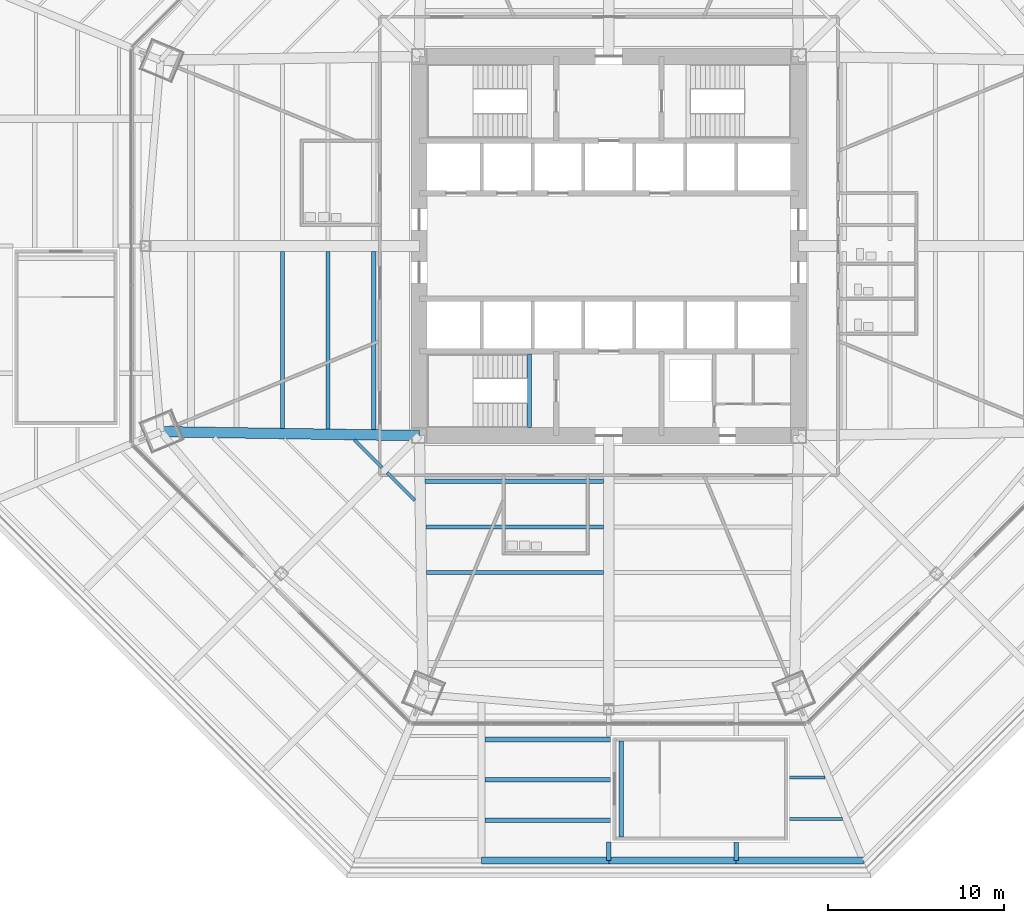
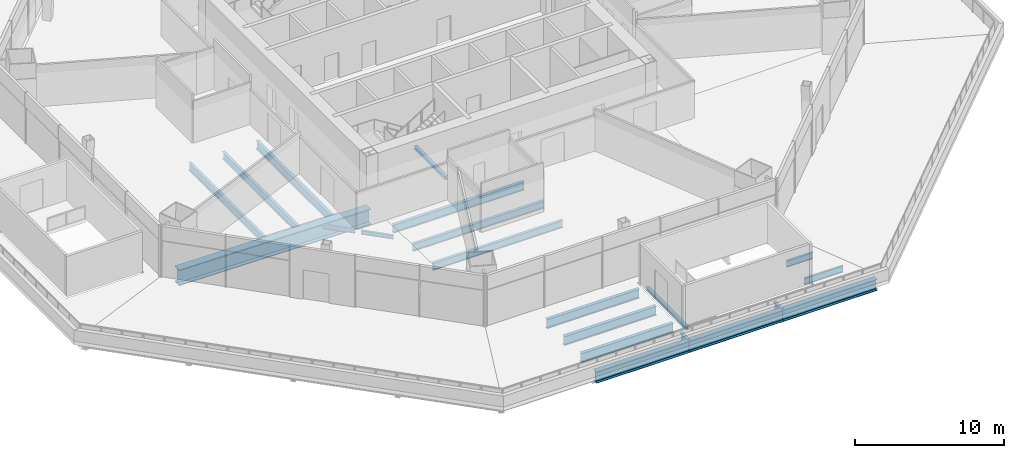
# One storey, part 4 of 25: 19 beams, 2 members.
"""IFC4 building model written with IfcOpenShell, lengths in metres."""

from ifc_helpers import new_model, si_unit, direction, frame, origin, origin_2d, place, context, subcontext, project, spatial, i_section, extrude, source, transform, mapped, material, material_profile, profile_set, type_object, type_shapes, element, save


model = new_model("IFC4")

# Units and contexts
model_context = context("Model", 3, precision=1e-05, world=origin(), true_north=direction((0.0, 1.0)))
body_context = subcontext(model_context, "Body", "Model", "MODEL_VIEW")
ifc_project = project(units=[si_unit("LENGTHUNIT", "METRE"), si_unit("AREAUNIT", "SQUARE_METRE"), si_unit("VOLUMEUNIT", "CUBIC_METRE"), si_unit("PLANEANGLEUNIT", "RADIAN"), si_unit("MASSUNIT", "GRAM", prefix="KILO")], contexts=[model_context])

# Site, building, storey
site_placement = place(None, origin())
site = spatial("IfcSite", under=ifc_project, at=site_placement, CompositionType="ELEMENT")
building_placement = place(site_placement, origin())
building = spatial("IfcBuilding", under=site, at=building_placement, Name="Mashrafa Tower", CompositionType="ELEMENT")
storey_placement = place(building_placement, frame((0.0, 0.0, 28.800048828125)))
storey = spatial("IfcBuildingStorey", under=building, at=storey_placement, Name="L05", CompositionType="ELEMENT", Elevation=28.800048828125)

# Beams
ifc_material_1 = material(Name="Steel ASTM A572 Gr 50", Category="steel")
ifc_material_profile_1 = material_profile(ifc_material_1, i_section(OverallWidth=0.60009765625, OverallDepth=1.300048828125, WebThickness=0.028076171875, FlangeThickness=0.06494140625, at=origin_2d()), Name="H1300X600X28X65")
ifc_profile_set_1 = profile_set([ifc_material_profile_1], Name="Steel ASTM A572 Gr 50")
beam_type_1 = type_object("IfcBeamType", Name="Beam H1300X600X28X65", PredefinedType="BEAM", material=ifc_profile_set_1)
beam_1_placement = place(storey_placement, frame((-10.800048828125, -10.800048828125, -0.949951171875), z_axis=(-0.99988326068, 0.015279561885, 0.0), x_axis=(-0.015279561885, -0.99988326068, 0.0)))
element("IfcBeam", 1, at=beam_1_placement, inside=storey, type_object=beam_type_1, Name="Radial girder L05 233", PredefinedType="BEAM", context=body_context, shape_type="SweptSolid", body=[
    extrude(i_section(OverallWidth=0.60009765625, OverallDepth=1.300048828125, WebThickness=0.028076171875, FlangeThickness=0.06494140625, at=origin_2d()), origin(), (0.0, 0.0, 1.0), 14.73193359375),
])
ifc_material_2 = material(Name="Steel ASTM A992", Category="steel")
ifc_material_profile_2 = material_profile(ifc_material_2, i_section(OverallWidth=0.164794921875, OverallDepth=0.309814453125, WebThickness=0.005859375, FlangeThickness=0.009765625, FilletRadius=0.007568359375, at=origin_2d()), Name="W12X26")
ifc_profile_set_2 = profile_set([ifc_material_profile_2], Name="Steel ASTM A992")
beam_type_2 = type_object("IfcBeamType", Name="Beam W12X26", PredefinedType="BEAM", material=ifc_profile_set_2)
for number, where, z_axis, x_axis, name in (
    (2, (-12.9130859375, -12.623779296875, -0.455078125), (-0.707106781187, 0.707106781187, 0.0), (-0.707106781187, -0.707106781187, 0.0), "Floor beam L05 049"),
    (3, (-11.043701171875, -14.4931640625, -0.455078125), (-0.707106781187, 0.707106781187, 0.0), (-0.707106781187, -0.707106781187, 0.0), "Floor beam L05 055"),
):
    element("IfcBeam", number, at=place(storey_placement, frame(where, z_axis=z_axis, x_axis=x_axis)), inside=storey, type_object=beam_type_2, Name=name, PredefinedType="BEAM", context=body_context, shape_type="SweptSolid", body=[
        extrude(i_section(OverallWidth=0.164794921875, OverallDepth=0.309814453125, WebThickness=0.005859375, FlangeThickness=0.009765625, FilletRadius=0.007568359375, at=origin_2d()), origin(), (0.0, 0.0, 1.0), 2.234619140625),
    ])
ifc_material_3 = material(Name="Steel ASTM A992", Category="steel")
ifc_material_profile_3 = material_profile(ifc_material_3, i_section(OverallWidth=0.165771484375, OverallDepth=0.5283203125, WebThickness=0.009765625, FlangeThickness=0.013671875, FilletRadius=0.012939453125, at=origin_2d()), Name="W21X50")
ifc_profile_set_3 = profile_set([ifc_material_profile_3], Name="Steel ASTM A992")
beam_type_3 = type_object("IfcBeamType", Name="Beam W21X50", PredefinedType="BEAM", material=ifc_profile_set_3)
beam_2_placement = place(storey_placement, frame((12.319091796875, -30.26513671875, -0.564208984375), z_axis=(-1.0, 0.0, 0.0), x_axis=(0.0, -1.0, 0.0)))
element("IfcBeam", 4, at=beam_2_placement, inside=storey, type_object=beam_type_3, Name="Floor beam L05 093", PredefinedType="BEAM", context=body_context, shape_type="SweptSolid", body=[
    extrude(i_section(OverallWidth=0.165771484375, OverallDepth=0.5283203125, WebThickness=0.009765625, FlangeThickness=0.013671875, FilletRadius=0.012939453125, at=origin_2d()), origin(), (0.0, 0.0, 1.0), 2.01904296875),
])
beam_3_placement = place(storey_placement, frame((13.2998046875, -32.632568359375, -0.564208984375), z_axis=(-1.0, 0.0, 0.0), x_axis=(0.0, -1.0, 0.0)))
element("IfcBeam", 5, at=beam_3_placement, inside=storey, type_object=beam_type_3, Name="Floor beam L05 099", PredefinedType="BEAM", context=body_context, shape_type="SweptSolid", body=[
    extrude(i_section(OverallWidth=0.165771484375, OverallDepth=0.5283203125, WebThickness=0.009765625, FlangeThickness=0.013671875, FilletRadius=0.012939453125, at=origin_2d()), origin(), (0.0, 0.0, 1.0), 2.999755859375),
])
ifc_material_4 = material(Name="Steel ASTM A992", Category="steel")
ifc_material_profile_4 = material_profile(ifc_material_4, i_section(OverallWidth=0.227783203125, OverallDepth=0.60205078125, WebThickness=0.010498046875, FlangeThickness=0.014892578125, FilletRadius=0.012939453125, at=origin_2d()), Name="W24X68")
ifc_profile_set_4 = profile_set([ifc_material_profile_4], Name="Steel ASTM A992")
beam_type_4 = type_object("IfcBeamType", Name="Beam W24X68", PredefinedType="BEAM", material=ifc_profile_set_4)
beam_4_placement = place(storey_placement, frame((-18.604248046875, -10.380859375, -0.60107421875), z_axis=(0.0, 1.0, 0.0), x_axis=(-1.0, 0.0, 0.0)))
element("IfcBeam", 6, at=beam_4_placement, inside=storey, type_object=beam_type_4, Name="Floor beam L05 030", PredefinedType="BEAM", context=body_context, shape_type="SweptSolid", body=[
    extrude(i_section(OverallWidth=0.227783203125, OverallDepth=0.60205078125, WebThickness=0.010498046875, FlangeThickness=0.014892578125, FilletRadius=0.012939453125, at=origin_2d()), origin(), (0.0, 0.0, 1.0), 10.080810546875),
])
beam_5_placement = place(storey_placement, frame((-16.002685546875, -10.42041015625, -0.60107421875), z_axis=(0.0, 1.0, 0.0), x_axis=(-1.0, 0.0, 0.0)))
element("IfcBeam", 7, at=beam_5_placement, inside=storey, type_object=beam_type_4, Name="Floor beam L05 038", PredefinedType="BEAM", context=body_context, shape_type="SweptSolid", body=[
    extrude(i_section(OverallWidth=0.227783203125, OverallDepth=0.60205078125, WebThickness=0.010498046875, FlangeThickness=0.014892578125, FilletRadius=0.012939453125, at=origin_2d()), origin(), (0.0, 0.0, 1.0), 10.120361328125),
])
beam_6_placement = place(storey_placement, frame((-0.300048828125, -18.604248046875, -0.60107421875), z_axis=(-1.0, 0.0, 0.0), x_axis=(0.0, -1.0, 0.0)))
element("IfcBeam", 8, at=beam_6_placement, inside=storey, type_object=beam_type_4, Name="Floor beam L05 070", PredefinedType="BEAM", context=body_context, shape_type="SweptSolid", body=[
    extrude(i_section(OverallWidth=0.227783203125, OverallDepth=0.60205078125, WebThickness=0.010498046875, FlangeThickness=0.014892578125, FilletRadius=0.012939453125, at=origin_2d()), origin(), (0.0, 0.0, 1.0), 10.080810546875),
])
beam_7_placement = place(storey_placement, frame((-0.300048828125, -16.002685546875, -0.60107421875), z_axis=(-1.0, 0.0, 0.0), x_axis=(0.0, -1.0, 0.0)))
element("IfcBeam", 9, at=beam_7_placement, inside=storey, type_object=beam_type_4, Name="Floor beam L05 071", PredefinedType="BEAM", context=body_context, shape_type="SweptSolid", body=[
    extrude(i_section(OverallWidth=0.227783203125, OverallDepth=0.60205078125, WebThickness=0.010498046875, FlangeThickness=0.014892578125, FilletRadius=0.012939453125, at=origin_2d()), origin(), (0.0, 0.0, 1.0), 10.120361328125),
])
ifc_material_5 = material(Name="Steel ASTM A992", Category="steel")
ifc_material_profile_5 = material_profile(ifc_material_5, i_section(OverallWidth=0.25390625, OverallDepth=0.67822265625, WebThickness=0.01171875, FlangeThickness=0.016357421875, FilletRadius=0.01513671875, at=origin_2d()), Name="W27X84")
ifc_profile_set_5 = profile_set([ifc_material_profile_5], Name="Steel ASTM A992")
beam_type_5 = type_object("IfcBeamType", Name="Beam W27X84", PredefinedType="BEAM", material=ifc_profile_set_5)
for number, where, z_axis, x_axis, name in (
    (10, (-13.4013671875, -10.460205078125, -0.63916015625), (0.0, 1.0, 0.0), (-1.0, 0.0, 0.0), "Floor beam L05 047"),
    (11, (-0.300048828125, -13.4013671875, -0.63916015625), (-1.0, 0.0, 0.0), (0.0, -1.0, 0.0), "Floor beam L05 072"),
):
    element("IfcBeam", number, at=place(storey_placement, frame(where, z_axis=z_axis, x_axis=x_axis)), inside=storey, type_object=beam_type_5, Name=name, PredefinedType="BEAM", context=body_context, shape_type="SweptSolid", body=[
        extrude(i_section(OverallWidth=0.25390625, OverallDepth=0.67822265625, WebThickness=0.01171875, FlangeThickness=0.016357421875, FilletRadius=0.01513671875, at=origin_2d()), origin(), (0.0, 0.0, 1.0), 10.16015625),
    ])
ifc_material_6 = material(Name="Steel ASTM A992", Category="steel")
ifc_material_profile_6 = material_profile(ifc_material_6, i_section(OverallWidth=0.2666015625, OverallDepth=0.75439453125, WebThickness=0.01318359375, FlangeThickness=0.01708984375, FilletRadius=0.0166015625, at=origin_2d()), Name="W30X99")
ifc_profile_set_6 = profile_set([ifc_material_profile_6], Name="Steel ASTM A992")
beam_type_6 = type_object("IfcBeamType", Name="Beam W30X99", PredefinedType="BEAM", material=ifc_profile_set_6)
for number, where, z_axis, x_axis, name in (
    (12, (0.10009765625, -32.70166015625, -0.67724609375), (-1.0, 0.0, 0.0), (0.0, -1.0, 0.0), "Floor beam L05 078"),
    (13, (0.10009765625, -30.4033203125, -0.67724609375), (-1.0, 0.0, 0.0), (0.0, -1.0, 0.0), "Floor beam L05 079"),
    (14, (0.10009765625, -28.10498046875, -0.67724609375), (-1.0, 0.0, 0.0), (0.0, -1.0, 0.0), "Floor beam L05 080"),
):
    element("IfcBeam", number, at=place(storey_placement, frame(where, z_axis=z_axis, x_axis=x_axis)), inside=storey, type_object=beam_type_6, Name=name, PredefinedType="BEAM", context=body_context, shape_type="SweptSolid", body=[
        extrude(i_section(OverallWidth=0.2666015625, OverallDepth=0.75439453125, WebThickness=0.01318359375, FlangeThickness=0.01708984375, FilletRadius=0.0166015625, at=origin_2d()), origin(), (0.0, 0.0, 1.0), 7.148193359375),
    ])
ifc_material_7 = material(Name="Steel ASTM A992", Category="steel")
ifc_material_profile_7 = material_profile(ifc_material_7, i_section(OverallWidth=0.419189453125, OverallDepth=0.927001953125, WebThickness=0.019287109375, FlangeThickness=0.031982421875, FilletRadius=0.020263671875, at=origin_2d()), Name="W36X231")
ifc_profile_set_7 = profile_set([ifc_material_profile_7], Name="Steel ASTM A992")
beam_type_7 = type_object("IfcBeamType", Name="Beam W36X231", PredefinedType="BEAM", material=ifc_profile_set_7)
for number, where, z_axis, x_axis, name in (
    (15, (-7.248779296875, -35.0, -0.763671875), (1.0, 0.0, 0.0), (0.0, 1.0, 0.0), "Podium edge beam L05 158"),
    (16, (0.0, -35.0, -0.763671875), (1.0, 0.0, 0.0), (0.0, 1.0, 0.0), "Podium edge beam L05 160"),
    (17, (7.248779296875, -35.0, -0.763671875), (1.0, 0.0, 0.0), (0.0, 1.0, 0.0), "Podium edge beam L05 162"),
):
    element("IfcBeam", number, at=place(storey_placement, frame(where, z_axis=z_axis, x_axis=x_axis)), inside=storey, type_object=beam_type_7, Name=name, PredefinedType="BEAM", context=body_context, shape_type="SweptSolid", body=[
        extrude(i_section(OverallWidth=0.419189453125, OverallDepth=0.927001953125, WebThickness=0.019287109375, FlangeThickness=0.031982421875, FilletRadius=0.020263671875, at=origin_2d()), origin(), (0.0, 0.0, 1.0), 7.248779296875),
    ])
ifc_material_8 = material(Name="Steel ASTM A992", Category="steel")
ifc_material_profile_8 = material_profile(ifc_material_8, i_section(OverallWidth=0.25390625, OverallDepth=0.25390625, WebThickness=0.008544921875, FlangeThickness=0.01416015625, FilletRadius=0.010009765625, at=origin_2d()), Name="W10X49")
ifc_profile_set_8 = profile_set([ifc_material_profile_8], Name="Steel ASTM A992")
beam_type_8 = type_object("IfcBeamType", Name="Hoistway beam W10X49", PredefinedType="BEAM", material=ifc_profile_set_8)
beam_8_placement = place(storey_placement, frame((-4.530029296875, -10.35009765625, -0.427001953125), z_axis=(0.0, 1.0, 0.0), x_axis=(-1.0, 0.0, 0.0)))
element("IfcBeam", 18, at=beam_8_placement, inside=storey, type_object=beam_type_8, Name="Stair S3 landing beam L05", PredefinedType="BEAM", context=body_context, shape_type="SweptSolid", body=[
    extrude(i_section(OverallWidth=0.25390625, OverallDepth=0.25390625, WebThickness=0.008544921875, FlangeThickness=0.01416015625, FilletRadius=0.010009765625, at=origin_2d()), origin(), (0.0, 0.0, 1.0), 4.2001953125),
])
beam_9_placement = place(storey_placement, frame((0.699951171875, -33.64990234375, -0.427001953125), z_axis=(0.0, 1.0, 0.0), x_axis=(-1.0, 0.0, 0.0)))
element("IfcBeam", 19, at=beam_9_placement, inside=storey, type_object=beam_type_8, Name="Stair P4 landing beam L05", PredefinedType="BEAM", context=body_context, shape_type="SweptSolid", body=[
    extrude(i_section(OverallWidth=0.25390625, OverallDepth=0.25390625, WebThickness=0.008544921875, FlangeThickness=0.01416015625, FilletRadius=0.010009765625, at=origin_2d()), origin(), (0.0, 0.0, 1.0), 5.449951171875),
])

# Members
ifc_material_9 = material(Name="Steel ASTM A992", Category="steel")
ifc_material_profile_9 = material_profile(ifc_material_9, i_section(OverallWidth=0.25390625, OverallDepth=0.683349609375, WebThickness=0.012451171875, FlangeThickness=0.01904296875, FilletRadius=0.01513671875, at=origin_2d()), Name="W27X94")
ifc_profile_set_9 = profile_set([ifc_material_profile_9], Name="Steel ASTM A992")
member_type = type_object("IfcMemberType", Name="Tie strut W27X94", PredefinedType="STRUT", material=ifc_profile_set_9)
shared_shape = source(origin(), body_context, "Body", "SweptSolid", [
    extrude(i_section(OverallWidth=0.25390625, OverallDepth=0.683349609375, WebThickness=0.012451171875, FlangeThickness=0.01904296875, FilletRadius=0.01513671875, at=origin_2d()), origin(), (0.0, 0.0, 1.0), 1.050048828125),
])
type_shapes(member_type, [shared_shape])
for number, where, z_axis, x_axis, name in (
    (20, (0.0, -33.949951171875, -0.6416015625), (0.0, -1.0, 0.0), (1.0, 0.0, 0.0), "Tie strut L05 195"),
    (21, (7.248779296875, -33.949951171875, -0.6416015625), (0.0, -1.0, 0.0), (1.0, 0.0, 0.0), "Tie strut L05 199"),
):
    element("IfcMember", number, at=place(storey_placement, frame(where, z_axis=z_axis, x_axis=x_axis)), inside=storey, type_object=member_type, Name=name, PredefinedType="STRUT", context=body_context, shape_type="MappedRepresentation", body=[
        mapped(shared_shape, transform((0.0, 0.0, 0.0))),
    ])

save(model, "model.ifc")
